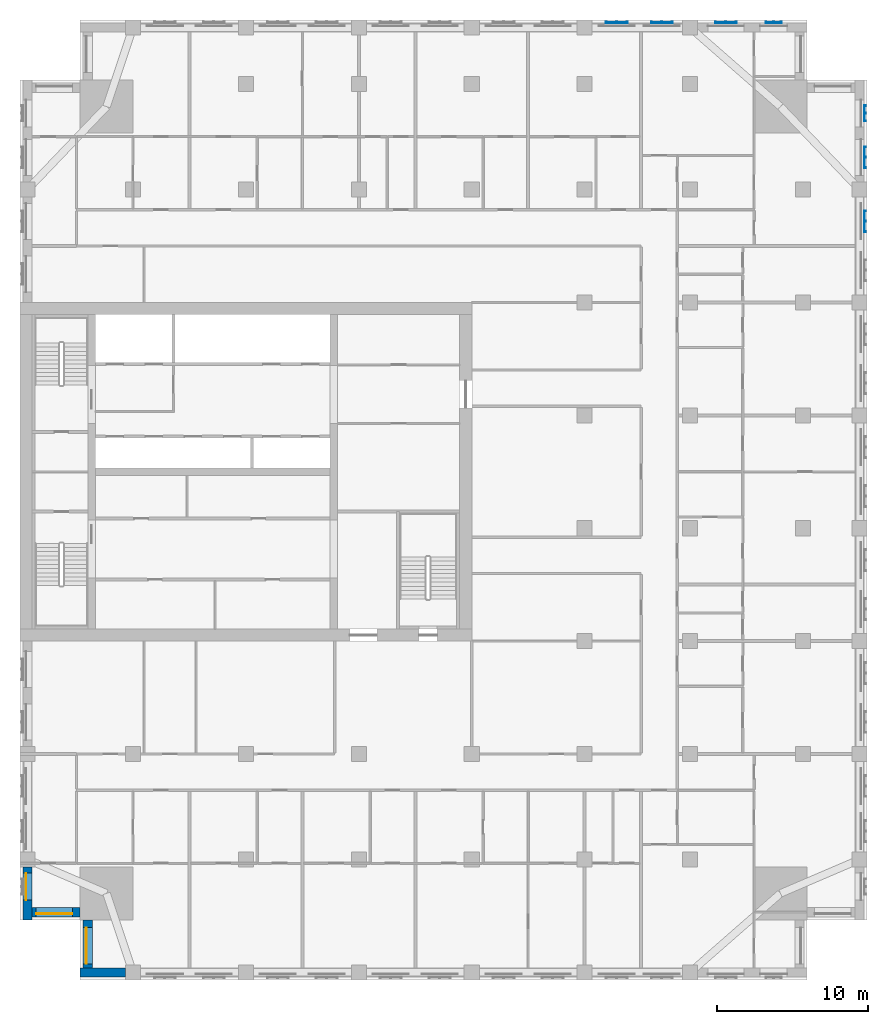
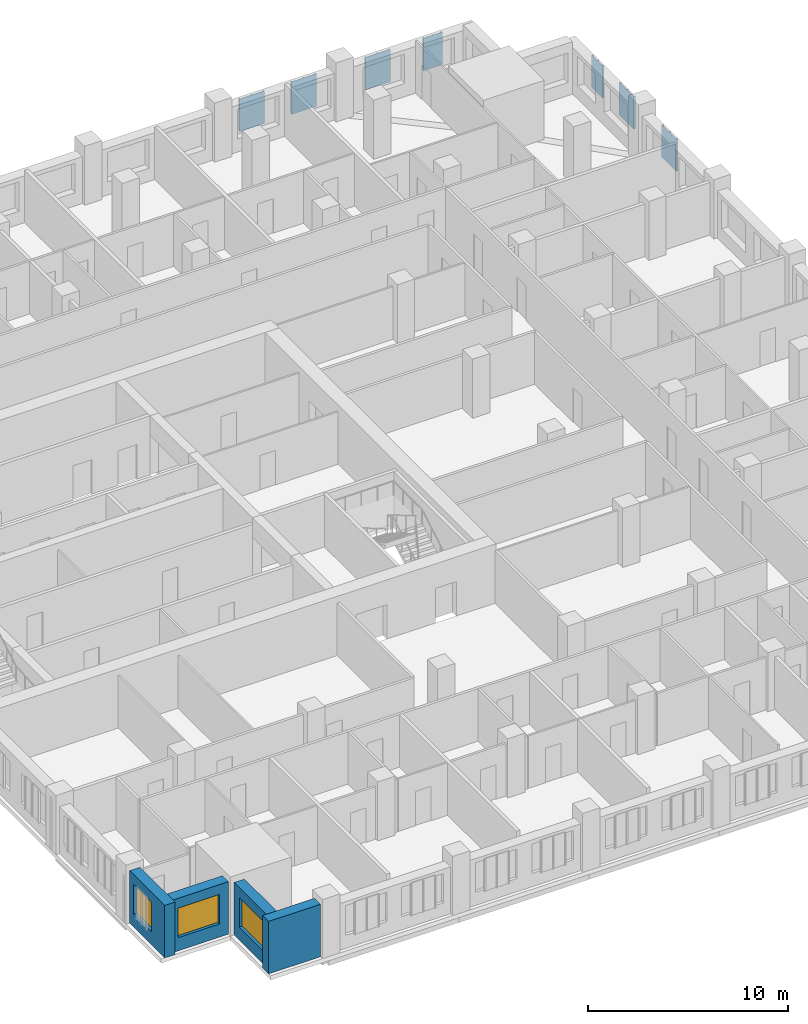
# One storey, part 3 of 14: 7 plates, 4 walls, 3 windows, 3 openings.
"""IFC4 building model written with IfcOpenShell, lengths in metres."""

from ifc_helpers import new_model, si_unit, direction, frame, frame_2d, origin, place, context, subcontext, project, spatial, polyline, rectangle, outline, extrude, material, layer, layer_set, type_object, element, fill, save


model = new_model("IFC4")

# Units and contexts
model_context = context("Model", 3, precision=1e-05, world=origin(), true_north=direction((0.0, 1.0)))
body_context = subcontext(model_context, "Body", "Model", "MODEL_VIEW")
ifc_project = project(units=[si_unit("LENGTHUNIT", "METRE"), si_unit("AREAUNIT", "SQUARE_METRE"), si_unit("VOLUMEUNIT", "CUBIC_METRE"), si_unit("PLANEANGLEUNIT", "RADIAN"), si_unit("MASSUNIT", "GRAM", prefix="KILO")], contexts=[model_context])

# Site, building, storey
site_placement = place(None, origin())
site = spatial("IfcSite", under=ifc_project, at=site_placement, CompositionType="ELEMENT")
building_placement = place(site_placement, origin())
building = spatial("IfcBuilding", under=site, at=building_placement, Name="Tamorin Gate", CompositionType="ELEMENT")
storey_placement = place(building_placement, frame((0.0, 0.0, 162.60009765625)))
storey = spatial("IfcBuildingStorey", under=building, at=storey_placement, Name="L40", CompositionType="ELEMENT", Elevation=162.60009765625)

# Plates
ifc_material_1 = material(Name="Perforated pale aluminium sheet", Category="aluminium")
ifc_layer_1 = layer(ifc_material_1, 0.0400390625)
ifc_layer_set_1 = layer_set([ifc_layer_1], Name="Pale metal solar screen 1080")
plate_type_1 = type_object("IfcPlateType", Name="Pale metal solar screen 1080", PredefinedType="SHEET", material=ifc_layer_set_1)
plate_1_placement = place(storey_placement, frame((0.0, 0.0, 0.7099609375)))
element("IfcPlate", 1, at=plate_1_placement, inside=storey, type_object=plate_type_1, Name="Perforated solar screen", PredefinedType="SHEET", context=body_context, shape_type="SweptSolid", body=[
    extrude(outline(polyline([(86.090087890625, 94.510009765625), (86.050048828125, 94.510009765625), (86.050048828125, 94.570068359375), (86.050048828125, 95.02001953125), (86.050048828125, 95.080078125), (86.050048828125, 95.530029296875), (86.050048828125, 95.590087890625), (86.090087890625, 95.590087890625), (86.14990234375, 95.590087890625), (86.14990234375, 95.530029296875), (86.090087890625, 95.530029296875), (86.090087890625, 95.080078125), (86.14990234375, 95.080078125), (86.14990234375, 95.02001953125), (86.090087890625, 95.02001953125), (86.090087890625, 94.570068359375), (86.14990234375, 94.570068359375), (86.14990234375, 94.510009765625), (86.090087890625, 94.510009765625)])), origin(), (0.0, 0.0, 1.0), 1.97998046875),
])
plate_2_placement = place(storey_placement, frame((0.0, 0.0, 0.7099609375)))
element("IfcPlate", 2, at=plate_2_placement, inside=storey, type_object=plate_type_1, Name="Perforated solar screen", PredefinedType="SHEET", context=body_context, shape_type="SweptSolid", body=[
    extrude(outline(polyline([(80.590087890625, 101.090087890625), (80.590087890625, 101.050048828125), (80.530029296875, 101.050048828125), (80.080078125, 101.050048828125), (80.02001953125, 101.050048828125), (79.570068359375, 101.050048828125), (79.510009765625, 101.050048828125), (79.510009765625, 101.090087890625), (79.510009765625, 101.14990234375), (79.570068359375, 101.14990234375), (79.570068359375, 101.090087890625), (80.02001953125, 101.090087890625), (80.02001953125, 101.14990234375), (80.080078125, 101.14990234375), (80.080078125, 101.090087890625), (80.530029296875, 101.090087890625), (80.530029296875, 101.14990234375), (80.590087890625, 101.14990234375), (80.590087890625, 101.090087890625)])), origin(), (0.0, 0.0, 1.0), 1.97998046875),
])
ifc_layer_2 = layer(ifc_material_1, 0.0400390625)
ifc_layer_set_2 = layer_set([ifc_layer_2], Name="Pale metal solar screen 1440")
plate_type_2 = type_object("IfcPlateType", Name="Pale metal solar screen 1440", PredefinedType="SHEET", material=ifc_layer_set_2)
plate_3_placement = place(storey_placement, frame((0.0, 0.0, 0.7099609375)))
element("IfcPlate", 3, at=plate_3_placement, inside=storey, type_object=plate_type_2, Name="Perforated solar screen", PredefinedType="SHEET", context=body_context, shape_type="SweptSolid", body=[
    extrude(outline(polyline([(86.090087890625, 87.155029296875), (86.050048828125, 87.155029296875), (86.050048828125, 87.215087890625), (86.050048828125, 87.844970703125), (86.050048828125, 87.905029296875), (86.050048828125, 88.534912109375), (86.050048828125, 88.594970703125), (86.090087890625, 88.594970703125), (86.14990234375, 88.594970703125), (86.14990234375, 88.534912109375), (86.090087890625, 88.534912109375), (86.090087890625, 87.905029296875), (86.14990234375, 87.905029296875), (86.14990234375, 87.844970703125), (86.090087890625, 87.844970703125), (86.090087890625, 87.215087890625), (86.14990234375, 87.215087890625), (86.14990234375, 87.155029296875), (86.090087890625, 87.155029296875)])), origin(), (0.0, 0.0, 1.0), 1.97998046875),
])
plate_4_placement = place(storey_placement, frame((0.0, 0.0, 0.7099609375)))
element("IfcPlate", 4, at=plate_4_placement, inside=storey, type_object=plate_type_2, Name="Perforated solar screen", PredefinedType="SHEET", context=body_context, shape_type="SweptSolid", body=[
    extrude(outline(polyline([(86.090087890625, 91.405029296875), (86.050048828125, 91.405029296875), (86.050048828125, 91.465087890625), (86.050048828125, 92.094970703125), (86.050048828125, 92.155029296875), (86.050048828125, 92.784912109375), (86.050048828125, 92.844970703125), (86.090087890625, 92.844970703125), (86.14990234375, 92.844970703125), (86.14990234375, 92.784912109375), (86.090087890625, 92.784912109375), (86.090087890625, 92.155029296875), (86.14990234375, 92.155029296875), (86.14990234375, 92.094970703125), (86.090087890625, 92.094970703125), (86.090087890625, 91.465087890625), (86.14990234375, 91.465087890625), (86.14990234375, 91.405029296875), (86.090087890625, 91.405029296875)])), origin(), (0.0, 0.0, 1.0), 1.97998046875),
])
plate_5_placement = place(storey_placement, frame((0.0, 0.0, 0.7099609375)))
element("IfcPlate", 5, at=plate_5_placement, inside=storey, type_object=plate_type_2, Name="Perforated solar screen", PredefinedType="SHEET", context=body_context, shape_type="SweptSolid", body=[
    extrude(outline(polyline([(77.594970703125, 101.090087890625), (77.594970703125, 101.050048828125), (77.534912109375, 101.050048828125), (76.905029296875, 101.050048828125), (76.844970703125, 101.050048828125), (76.215087890625, 101.050048828125), (76.155029296875, 101.050048828125), (76.155029296875, 101.050048828125), (76.155029296875, 101.090087890625), (76.155029296875, 101.090087890625), (76.155029296875, 101.14990234375), (76.215087890625, 101.14990234375), (76.215087890625, 101.090087890625), (76.844970703125, 101.090087890625), (76.844970703125, 101.14990234375), (76.905029296875, 101.14990234375), (76.905029296875, 101.090087890625), (77.534912109375, 101.090087890625), (77.534912109375, 101.14990234375), (77.594970703125, 101.14990234375), (77.594970703125, 101.090087890625)])), origin(), (0.0, 0.0, 1.0), 1.97998046875),
])
plate_6_placement = place(storey_placement, frame((0.0, 0.0, 0.7099609375)))
element("IfcPlate", 6, at=plate_6_placement, inside=storey, type_object=plate_type_2, Name="Perforated solar screen", PredefinedType="SHEET", context=body_context, shape_type="SweptSolid", body=[
    extrude(outline(polyline([(70.344970703125, 101.090087890625), (70.344970703125, 101.050048828125), (70.284912109375, 101.050048828125), (69.655029296875, 101.050048828125), (69.594970703125, 101.050048828125), (68.965087890625, 101.050048828125), (68.905029296875, 101.050048828125), (68.905029296875, 101.090087890625), (68.905029296875, 101.14990234375), (68.965087890625, 101.14990234375), (68.965087890625, 101.090087890625), (69.594970703125, 101.090087890625), (69.594970703125, 101.14990234375), (69.655029296875, 101.14990234375), (69.655029296875, 101.090087890625), (70.284912109375, 101.090087890625), (70.284912109375, 101.14990234375), (70.344970703125, 101.14990234375), (70.344970703125, 101.090087890625)])), origin(), (0.0, 0.0, 1.0), 1.97998046875),
])
plate_7_placement = place(storey_placement, frame((0.0, 0.0, 0.7099609375)))
element("IfcPlate", 7, at=plate_7_placement, inside=storey, type_object=plate_type_2, Name="Perforated solar screen", PredefinedType="SHEET", context=body_context, shape_type="SweptSolid", body=[
    extrude(outline(polyline([(73.344970703125, 101.090087890625), (73.344970703125, 101.050048828125), (73.284912109375, 101.050048828125), (72.655029296875, 101.050048828125), (72.594970703125, 101.050048828125), (71.965087890625, 101.050048828125), (71.905029296875, 101.050048828125), (71.905029296875, 101.090087890625), (71.905029296875, 101.14990234375), (71.965087890625, 101.14990234375), (71.965087890625, 101.090087890625), (72.594970703125, 101.090087890625), (72.594970703125, 101.14990234375), (72.655029296875, 101.14990234375), (72.655029296875, 101.090087890625), (73.284912109375, 101.090087890625), (73.284912109375, 101.14990234375), (73.344970703125, 101.14990234375), (73.344970703125, 101.090087890625)])), origin(), (0.0, 0.0, 1.0), 1.97998046875),
])

# Wall
ifc_material_2 = material(Name="Precast concrete C40/50", Category="concrete")
ifc_layer_3 = layer(ifc_material_2, 0.60009765625)
ifc_layer_set_3 = layer_set([ifc_layer_3], Name="Precast concrete C40/50")
wall_type = type_object("IfcWallType", Name="Board-marked concrete facade panel 600", PredefinedType="SOLIDWALL", material=ifc_layer_set_3)
wall_1_placement = place(storey_placement, frame((34.0, 38.0, 0.0), z_axis=(0.0, 0.0, 1.0), x_axis=(1.0, 0.0, 0.0)))
element("IfcWall", 8, at=wall_1_placement, inside=storey, type_object=wall_type, Name="Facade panel", PredefinedType="SOLIDWALL", context=body_context, shape_type="SweptSolid", body=[
    extrude(rectangle(XDim=3.0, YDim=0.60009765625, at=frame_2d((1.5, 0.0))), origin(), (0.0, 0.0, 1.0), 3.199951171875),
])

# Wall, opening, window
wall_2_placement = place(storey_placement, frame((30.5, 45.0, 0.0), z_axis=(0.0, 0.0, 1.0), x_axis=(0.0, -1.0, 0.0)))
wall_2 = element("IfcWall", 9, at=wall_2_placement, inside=storey, type_object=wall_type, Name="Facade panel", PredefinedType="SOLIDWALL", context=body_context, shape_type="SweptSolid", body=[
    extrude(rectangle(XDim=3.5, YDim=0.60009765625, at=frame_2d((1.75, 0.0))), origin(), (0.0, 0.0, 1.0), 3.199951171875),
])
opening_1_placement = place(wall_2_placement, frame((0.39990234375, 0.0, 0.800048828125)))
opening_1 = element("IfcOpeningElement", 10, at=opening_1_placement, cuts=wall_2, Name="Opening WN2", PredefinedType="OPENING", context=body_context, shape_type="SweptSolid", body=[
    extrude(rectangle(XDim=1.800048828125, YDim=1.800048828125, at=frame_2d((0.89990234375, 0.89990234375))), frame((0.0, 0.31005859375, 0.0), z_axis=(0.0, -1.0, 0.0), x_axis=(1.0, 0.0, 0.0)), (0.0, 0.0, 1.0), 0.6201171875),
])
ifc_material_3 = material(Name="Clear glass in aluminium frame", Category="aluminium")
window_type_1 = type_object("IfcWindowType", Name="Deep-set window 1800x1800", PartitioningType="SINGLE_PANEL", PredefinedType="WINDOW", material=ifc_material_3)
window_1_placement = place(opening_1_placement, origin())
window_1 = element("IfcWindow", 11, at=window_1_placement, inside=storey, type_object=window_type_1, Name="Deep-set window", OverallHeight=1.800048828125, OverallWidth=1.800048828125, PartitioningType="SINGLE_PANEL", PredefinedType="WINDOW", context=body_context, shape_type="SweptSolid", body=[
    extrude(rectangle(XDim=1.800048828125, YDim=1.800048828125, at=frame_2d((0.89990234375, 0.89990234375))), frame((0.0, -0.070068359375, 0.0), z_axis=(0.0, -1.0, 0.0), x_axis=(1.0, 0.0, 0.0)), (0.0, 0.0, 1.0), 0.06005859375),
])
fill(opening_1, window_1)

wall_3_placement = place(storey_placement, frame((30.800048828125, 42.0, 0.0), z_axis=(0.0, 0.0, 1.0), x_axis=(1.0, 0.0, 0.0)))
wall_3 = element("IfcWall", 12, at=wall_3_placement, inside=storey, type_object=wall_type, Name="Facade panel", PredefinedType="SOLIDWALL", context=body_context, shape_type="SweptSolid", body=[
    extrude(rectangle(XDim=3.199951171875, YDim=0.60009765625, at=frame_2d((1.60009765625, 0.0))), origin(), (0.0, 0.0, 1.0), 3.199951171875),
])
opening_2_placement = place(wall_3_placement, frame((0.27490234375, 0.0, 0.800048828125)))
opening_2 = element("IfcOpeningElement", 13, at=opening_2_placement, cuts=wall_3, Name="Opening WN1", PredefinedType="OPENING", context=body_context, shape_type="SweptSolid", body=[
    extrude(rectangle(XDim=2.39990234375, YDim=1.800048828125, at=frame_2d((1.199951171875, 0.89990234375))), frame((0.0, 0.31005859375, 0.0), z_axis=(0.0, -1.0, 0.0), x_axis=(1.0, 0.0, 0.0)), (0.0, 0.0, 1.0), 0.6201171875),
])
window_type_2 = type_object("IfcWindowType", Name="Deep-set window 2400x1800", PartitioningType="SINGLE_PANEL", PredefinedType="WINDOW", material=ifc_material_3)
window_2_placement = place(opening_2_placement, origin())
window_2 = element("IfcWindow", 14, at=window_2_placement, inside=storey, type_object=window_type_2, Name="Deep-set window", OverallHeight=1.800048828125, OverallWidth=2.39990234375, PartitioningType="SINGLE_PANEL", PredefinedType="WINDOW", context=body_context, shape_type="SweptSolid", body=[
    extrude(rectangle(XDim=2.39990234375, YDim=1.800048828125, at=frame_2d((1.199951171875, 0.89990234375))), frame((0.0, -0.070068359375, 0.0), z_axis=(0.0, -1.0, 0.0), x_axis=(1.0, 0.0, 0.0)), (0.0, 0.0, 1.0), 0.06005859375),
])
fill(opening_2, window_2)

wall_4_placement = place(storey_placement, frame((34.5, 41.5, 0.0), z_axis=(0.0, 0.0, 1.0), x_axis=(0.0, -1.0, 0.0)))
wall_4 = element("IfcWall", 15, at=wall_4_placement, inside=storey, type_object=wall_type, Name="Facade panel", PredefinedType="SOLIDWALL", context=body_context, shape_type="SweptSolid", body=[
    extrude(rectangle(XDim=3.199951171875, YDim=0.60009765625, at=frame_2d((1.60009765625, 0.0))), origin(), (0.0, 0.0, 1.0), 3.199951171875),
])
opening_3_placement = place(wall_4_placement, frame((0.52490234375, 0.0, 0.800048828125)))
opening_3 = element("IfcOpeningElement", 16, at=opening_3_placement, cuts=wall_4, Name="Opening WN1", PredefinedType="OPENING", context=body_context, shape_type="SweptSolid", body=[
    extrude(rectangle(XDim=2.39990234375, YDim=1.800048828125, at=frame_2d((1.199951171875, 0.89990234375))), frame((0.0, 0.31005859375, 0.0), z_axis=(0.0, -1.0, 0.0), x_axis=(1.0, 0.0, 0.0)), (0.0, 0.0, 1.0), 0.6201171875),
])
window_3_placement = place(opening_3_placement, origin())
window_3 = element("IfcWindow", 17, at=window_3_placement, inside=storey, type_object=window_type_2, Name="Deep-set window", OverallHeight=1.800048828125, OverallWidth=2.39990234375, PartitioningType="SINGLE_PANEL", PredefinedType="WINDOW", context=body_context, shape_type="SweptSolid", body=[
    extrude(rectangle(XDim=2.39990234375, YDim=1.800048828125, at=frame_2d((1.199951171875, 0.89990234375))), frame((0.0, -0.070068359375, 0.0), z_axis=(0.0, -1.0, 0.0), x_axis=(1.0, 0.0, 0.0)), (0.0, 0.0, 1.0), 0.06005859375),
])
fill(opening_3, window_3)

save(model, "model.ifc")
